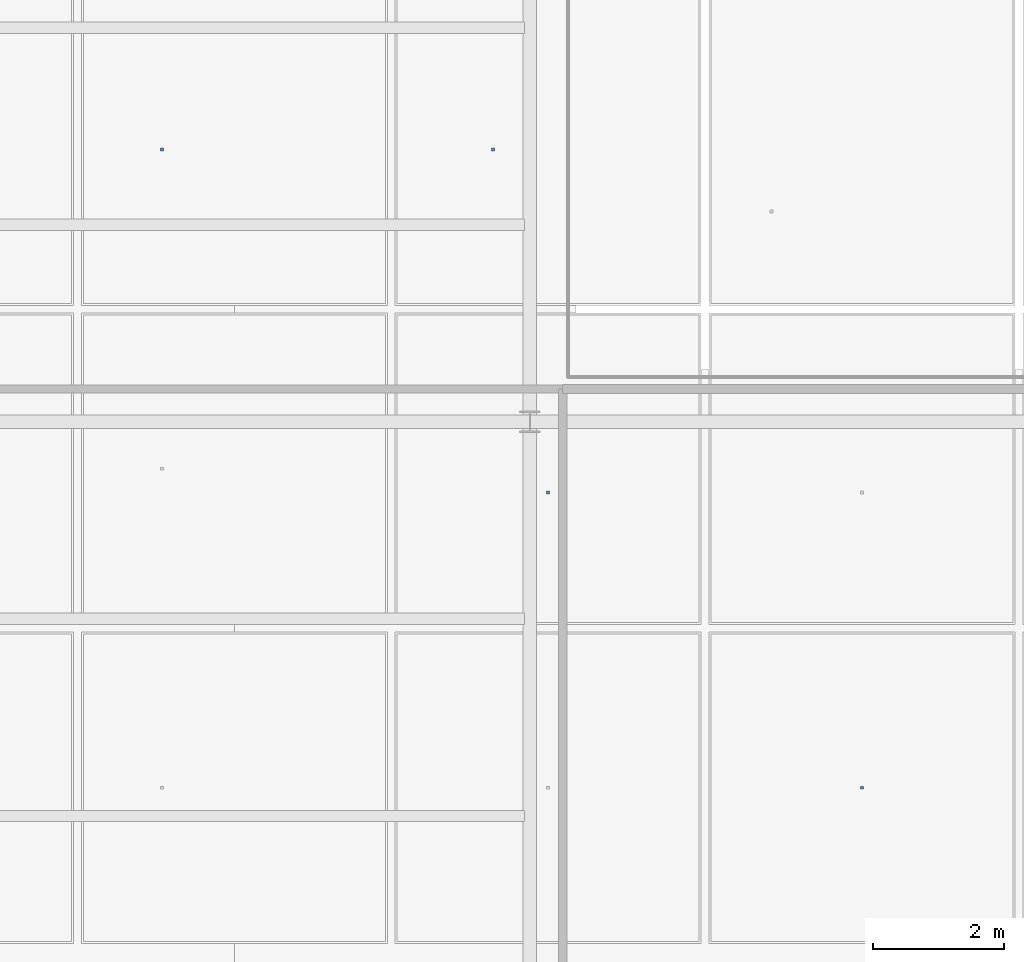
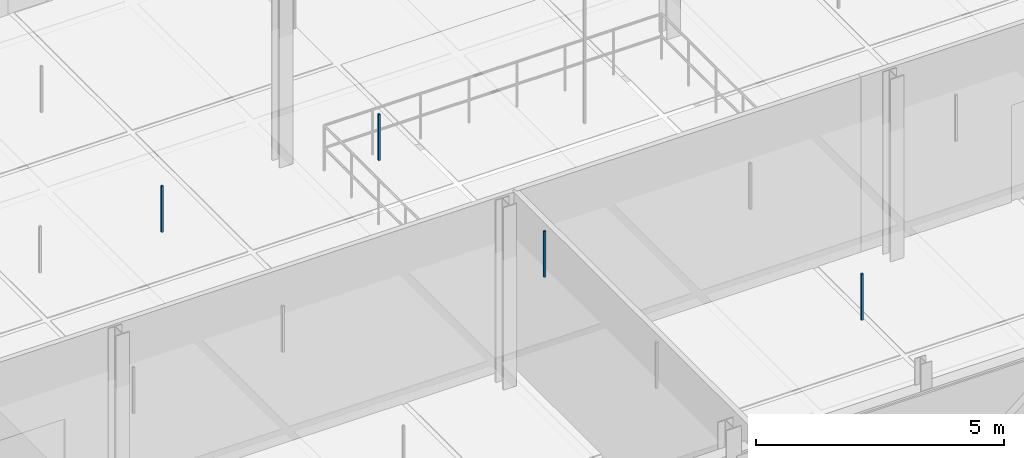
# One storey, part 51 of 66: 4 discrete accessories.
"""IFC4 building model written with IfcOpenShell, lengths in metres."""

import ifcopenshell
import ifcopenshell.guid

model = None  # the IFC model being written
_history = None  # IfcOwnerHistory: only IFC2X3 demands one
_inside = {}  # id of a spatial element -> (the spatial element, [elements in it])
_under = {}  # id of a project, library or spatial element -> (it, [spatial elements below it])
_declared = {}  # id of a project -> (the project, [libraries it declares])
_typed = {}  # id of a type object -> (the type object, [elements of that type])
_made_of = {}  # id of a material, layer set ... -> (it, [elements and type objects made of it])


def new_model(schema):
    """Start an empty IFC model of exactly this schema.

    Asked for "IFC4X3", IfcOpenShell would pick the latest addendum, in which some entities
    have other attributes; the version numbers below select the first issue.
    IFC2X3 requires an IfcOwnerHistory on every rooted entity: one is made here for all.
    """
    global model, _history
    if schema == "IFC4X3":
        model = ifcopenshell.file(schema_version=(4, 3, 0, 0))
    else:
        model = ifcopenshell.file(schema=schema)
    _inside.clear()
    _under.clear()
    _declared.clear()
    _typed.clear()
    _made_of.clear()
    _history = None
    if model.schema == "IFC2X3":
        org = make("IfcOrganization", Name="unknown")
        user = make(
            "IfcPersonAndOrganization",
            ThePerson=make("IfcPerson", FamilyName="unknown"),
            TheOrganization=org,
        )
        app = make(
            "IfcApplication",
            ApplicationDeveloper=org,
            Version="unknown",
            ApplicationFullName="unknown",
            ApplicationIdentifier="unknown",
        )
        _history = make(
            "IfcOwnerHistory",
            OwningUser=user,
            OwningApplication=app,
            ChangeAction="ADDED",
            CreationDate=0,
        )
    return model


def make(cls, **values):
    """One entity of the class cls with the attributes given. An attribute that is None is left unset."""
    return model.create_entity(
        cls, **{name: value for name, value in values.items() if value is not None}
    )


def rooted(cls, **values):
    """An entity with a GlobalId (a new one), such as an element, a storey or a relation."""
    return make(cls, GlobalId=ifcopenshell.guid.new(), OwnerHistory=_history, **values)


def si_unit(unit_type, name, prefix=None):
    """IfcSIUnit, for example si_unit("LENGTHUNIT", "METRE", prefix="MILLI")."""
    return make("IfcSIUnit", UnitType=unit_type, Prefix=prefix, Name=name)


def assignment(units):
    """IfcUnitAssignment: the units of a project."""
    return None if units is None else make("IfcUnitAssignment", Units=units)


def point(xyz):
    """IfcCartesianPoint."""
    return None if xyz is None else make("IfcCartesianPoint", Coordinates=xyz)


def direction(xyz):
    """IfcDirection."""
    return None if xyz is None else make("IfcDirection", DirectionRatios=xyz)


def frame(location, z_axis=None, x_axis=None):
    """IfcAxis2Placement3D, a coordinate frame: its origin and axes. An axis left out is left unset."""
    return make(
        "IfcAxis2Placement3D",
        Location=point(location),
        Axis=direction(z_axis),
        RefDirection=direction(x_axis),
    )


def frame_2d(location, x_axis=None):
    """IfcAxis2Placement2D, a coordinate frame in the plane: its origin and x axis."""
    return make(
        "IfcAxis2Placement2D", Location=point(location), RefDirection=direction(x_axis)
    )


def origin():
    """The frame at (0, 0, 0) with its axes left unset."""
    return frame((0.0, 0.0, 0.0))


def origin_2d():
    """The frame at (0, 0) in the plane with its x axis left unset."""
    return frame_2d((0.0, 0.0))


def place(relative_to, where):
    """IfcLocalPlacement: puts the frame where relative to a parent placement (None: the world)."""
    return make(
        "IfcLocalPlacement", PlacementRelTo=relative_to, RelativePlacement=where
    )


def context(
    kind, dimensions, precision=None, world=None, true_north=None, identifier=None
):
    """IfcGeometricRepresentationContext, for example the 3D "Model" context."""
    return make(
        "IfcGeometricRepresentationContext",
        ContextIdentifier=identifier,
        ContextType=kind,
        CoordinateSpaceDimension=dimensions,
        Precision=precision,
        WorldCoordinateSystem=world,
        TrueNorth=true_north,
    )


def subcontext(parent, identifier, kind, view, scale=None):
    """IfcGeometricRepresentationSubContext, for example "Body" below "Model"."""
    return make(
        "IfcGeometricRepresentationSubContext",
        ContextIdentifier=identifier,
        ContextType=kind,
        ParentContext=parent,
        TargetScale=scale,
        TargetView=view,
    )


def project(units=None, contexts=None):
    """IfcProject with its units and contexts."""
    return rooted(
        "IfcProject",
        Name="project",
        RepresentationContexts=contexts,
        UnitsInContext=assignment(units),
    )


def spatial(cls, under=None, at=None, **own):
    """A site, building, storey or space (cls), placed at a placement, below another one or the project."""
    s = rooted(cls, ObjectPlacement=at, **own)
    if under is not None:
        _under.setdefault(under.id(), (under, []))[1].append(s)
    return s


def profile(cls, at=None, kind="AREA", **sizes):
    """A parametric profile (cls). Its sizes go by their IFC names, for example OverallWidth=200.0."""
    return make(cls, ProfileType=kind, Position=at, **sizes)


def rectangle(**sizes):
    """IfcRectangleProfileDef."""
    return profile("IfcRectangleProfileDef", **sizes)


def extrude(swept, where, along, depth):
    """IfcExtrudedAreaSolid: the profile swept, set in the frame where, extruded along a direction by depth."""
    return make(
        "IfcExtrudedAreaSolid",
        SweptArea=swept,
        Position=where,
        ExtrudedDirection=direction(along),
        Depth=depth,
    )


def shape(context_of_items, identifier, shape_type, items):
    """IfcShapeRepresentation: the items that make up one representation, for example the "Body"."""
    return make(
        "IfcShapeRepresentation",
        ContextOfItems=context_of_items,
        RepresentationIdentifier=identifier,
        RepresentationType=shape_type,
        Items=items,
    )


def material(Name=None, Category=None):
    """IfcMaterial."""
    return make("IfcMaterial", Name=Name, Category=Category)


def made_of(thing, what):
    """Note that an element or type object is made of a material, layer set ...; save() writes the relation."""
    if what is not None:
        _made_of.setdefault(what.id(), (what, []))[1].append(thing)
    return thing


def type_object(cls, material=None, **own):
    """A type object (cls), such as IfcWallType, which elements share."""
    return made_of(rooted(cls, **own), material)


def element(
    cls,
    number,
    at=None,
    inside=None,
    cuts=None,
    type_object=None,
    material=None,
    context=None,
    identifier="Body",
    shape_type=None,
    held_by="IfcProductDefinitionShape",
    body=None,
    shapes=None,
    **own,
):
    """One element of the class cls, such as IfcWall. Its Tag is "e" and its number.

    at: its placement. inside: the storey or other place that contains it. cuts: it is an
    opening in that element (IfcRelVoidsElement). A single representation is given by context,
    identifier, shape_type and body (its items); several are given by shapes. held_by: the class
    of the entity that holds the representations. save() writes the other relations.
    """
    e = rooted(cls, Tag="e%d" % number, ObjectPlacement=at, **own)
    if body is not None:
        shapes = [shape(context, identifier, shape_type, body)]
    if shapes is not None:
        e.Representation = make(held_by, Representations=shapes)
    if inside is not None:
        _inside.setdefault(inside.id(), (inside, []))[1].append(e)
    if cuts is not None:
        rooted(
            "IfcRelVoidsElement", RelatingBuildingElement=cuts, RelatedOpeningElement=e
        )
    if type_object is not None:
        _typed.setdefault(type_object.id(), (type_object, []))[1].append(e)
    return made_of(e, material)


def aggregate(whole, parts):
    """IfcRelAggregates: a whole, such as a stair, and the parts it consists of."""
    return rooted("IfcRelAggregates", RelatingObject=whole, RelatedObjects=parts)


def save(model, path):
    """Write the relations noted so far, then the file.

    IfcRelAggregates (storeys below a building ...), IfcRelContainedInSpatialStructure (elements
    in a storey), IfcRelDefinesByType, IfcRelAssociatesMaterial and IfcRelDeclares: one each for
    every whole, place, type object, material and project.
    """
    for whole, parts in _under.values():
        aggregate(whole, parts)
    for where, things in _inside.values():
        rooted(
            "IfcRelContainedInSpatialStructure",
            RelatedElements=things,
            RelatingStructure=where,
        )
    for kind, things in _typed.values():
        rooted("IfcRelDefinesByType", RelatedObjects=things, RelatingType=kind)
    for what, things in _made_of.values():
        rooted("IfcRelAssociatesMaterial", RelatedObjects=things, RelatingMaterial=what)
    for by, libraries in _declared.values():
        rooted("IfcRelDeclares", RelatingContext=by, RelatedDefinitions=libraries)
    model.write(path)


model = new_model("IFC4")

# Units and contexts
model_context = context("Model", 3, precision=1e-05, world=origin(), true_north=direction((0.0, 1.0)))
body_context = subcontext(model_context, "Body", "Model", "MODEL_VIEW")
ifc_project = project(units=[si_unit("LENGTHUNIT", "METRE"), si_unit("AREAUNIT", "SQUARE_METRE"), si_unit("VOLUMEUNIT", "CUBIC_METRE"), si_unit("PLANEANGLEUNIT", "RADIAN"), si_unit("MASSUNIT", "GRAM", prefix="KILO"), si_unit("THERMODYNAMICTEMPERATUREUNIT", "KELVIN"), si_unit("POWERUNIT", "WATT")], contexts=[model_context])

# Site, building, storey
site_placement = place(None, origin())
site = spatial("IfcSite", under=ifc_project, at=site_placement, CompositionType="ELEMENT")
building_placement = place(site_placement, origin())
building = spatial("IfcBuilding", under=site, at=building_placement, Name="Tallowbark Science Centre", CompositionType="ELEMENT")
storey_placement = place(building_placement, frame((0.0, 0.0, 18.89990234375)))
storey = spatial("IfcBuildingStorey", under=building, at=storey_placement, Name="L04", CompositionType="ELEMENT", Elevation=18.89990234375)

# Discrete accessories
ifc_material = material(Name="Galvanised Steel Grade C350L0 (350 MPa)", Category="steel")
discrete_accessory_type = type_object("IfcDiscreteAccessoryType", Name="ACC-CLG-HNG", PredefinedType="BRACKET", material=ifc_material)
for number, where, z_axis, x_axis, name in (
    (1, (79.900390625, 17.642822265625, 3.20947265625), (0.0, 0.0, 1.0), (1.0, 0.0, 0.0), "Ceiling Hanger Bracket L04-1092"),
    (2, (85.77783203125, 12.423583984375, 3.20947265625), (0.0, 0.0, 1.0), (1.0, 0.0, 0.0), "Ceiling Hanger Bracket L04-1098"),
    (3, (84.939453125, 17.642822265625, 3.20947265625), (0.0, 0.0, 1.0), (1.0, 0.0, 0.0), "Ceiling Hanger Bracket L04-1099"),
    (4, (90.5556640625, 7.9287109375, 3.20947265625), (0.0, 0.0, 1.0), (1.0, 0.0, 0.0), "Ceiling Hanger Bracket L04-1104"),
):
    element("IfcDiscreteAccessory", number, at=place(storey_placement, frame(where, z_axis=z_axis, x_axis=x_axis)), inside=storey, type_object=discrete_accessory_type, Name=name, PredefinedType="BRACKET", context=body_context, shape_type="SweptSolid", body=[
        extrude(rectangle(XDim=0.044921875, YDim=0.044921875, at=origin_2d()), origin(), (0.0, 0.0, 1.0), 1.133544921875),
    ])

save(model, "model.ifc")
